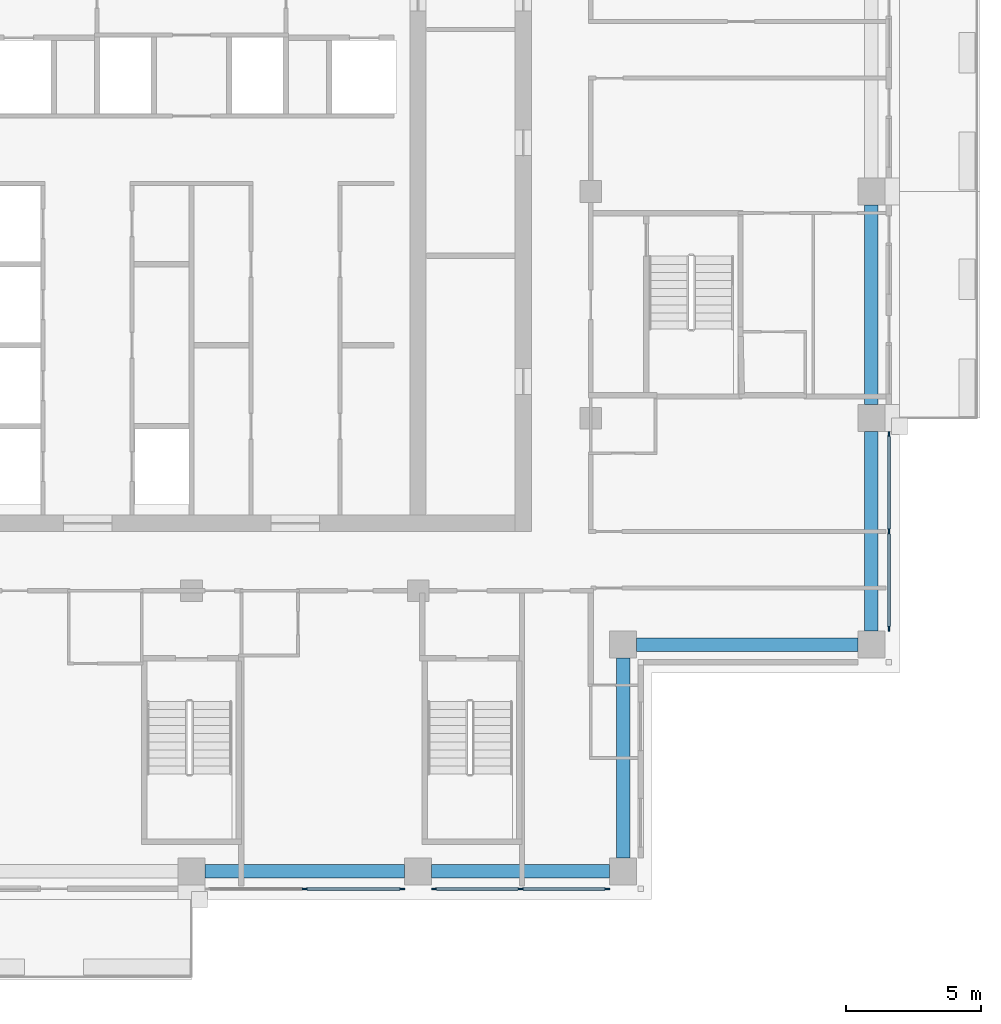
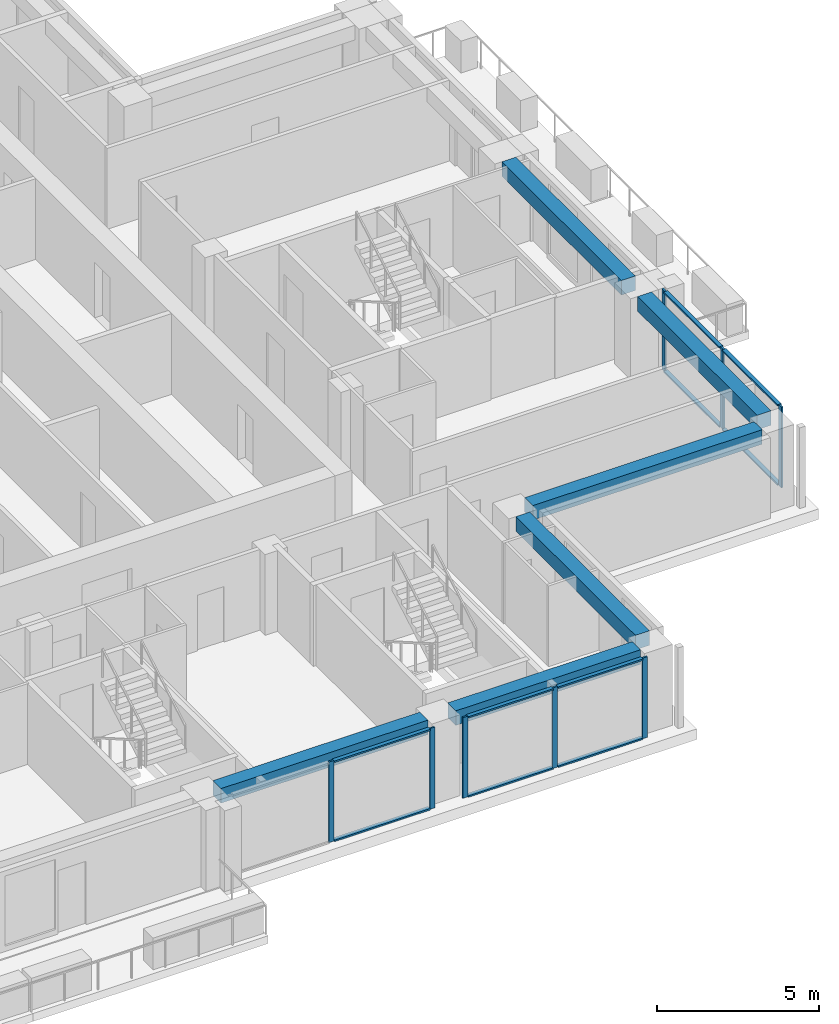
# One storey, part 4 of 17: 18 members, 6 beams, 3 elements without a shape of their own.
"""IFC4 building model written with IfcOpenShell, lengths in metres."""

from ifc_helpers import new_model, si_unit, direction, frame, origin, origin_2d, place, context, subcontext, project, spatial, rectangle, extrude, material, material_profile, profile_set, type_object, element, aggregate, save


model = new_model("IFC4")

# Units and contexts
model_context = context("Model", 3, precision=1e-05, world=origin(), true_north=direction((0.0, 1.0)))
body_context = subcontext(model_context, "Body", "Model", "MODEL_VIEW")
ifc_project = project(units=[si_unit("LENGTHUNIT", "METRE"), si_unit("AREAUNIT", "SQUARE_METRE"), si_unit("VOLUMEUNIT", "CUBIC_METRE"), si_unit("PLANEANGLEUNIT", "RADIAN"), si_unit("MASSUNIT", "GRAM", prefix="KILO")], contexts=[model_context])

# Site, building, storey
site_placement = place(None, origin())
site = spatial("IfcSite", under=ifc_project, at=site_placement, CompositionType="ELEMENT")
building_placement = place(site_placement, origin())
building = spatial("IfcBuilding", under=site, at=building_placement, Name="Vermilion Ogive Tower", CompositionType="ELEMENT")
storey_placement = place(building_placement, frame((0.0, 0.0, 196.25)))
storey = spatial("IfcBuildingStorey", under=building, at=storey_placement, Name="L51", CompositionType="ELEMENT", Elevation=196.25)

# Curtain wall, members
ifc_material_1 = material(Name="Low-iron laminated glazing in aluminium frame", Category="aluminium")
curtain_wall_type = type_object("IfcCurtainWallType", Name="Curtain wall CW7", PredefinedType="NOTDEFINED", material=ifc_material_1)
curtain_wall_1_placement = place(storey_placement, origin())
curtain_wall_1 = element("IfcCurtainWall", 1, at=curtain_wall_1_placement, inside=storey, type_object=curtain_wall_type, Name="Glazed skin S3", PredefinedType="NOTDEFINED")
ifc_material_2 = material(Name="Aluminium mullion", Category="aluminium")
ifc_material_profile_1 = material_profile(ifc_material_2, rectangle(XDim=0.06005859375, YDim=0.179931640625, at=origin_2d()), Name="AL 60x180")
ifc_profile_set_1 = profile_set([ifc_material_profile_1], Name="Aluminium mullion")
member_type_1 = type_object("IfcMemberType", Name="CW7 mullion 60x180", PredefinedType="MULLION", material=ifc_profile_set_1)
member_1_placement = place(storey_placement, frame((4.199951171875, -21.64990234375, 0.0), z_axis=(0.0, 0.0, 1.0), x_axis=(0.0, 1.0, 0.0)))
member_1 = element("IfcMember", 2, at=member_1_placement, type_object=member_type_1, Name="CW7-S3 mullion 2", PredefinedType="MULLION", context=body_context, shape_type="SweptSolid", body=[
    extrude(rectangle(XDim=0.06005859375, YDim=0.179931640625, at=origin_2d()), origin(), (0.0, 0.0, 1.0), 3.050048828125),
])
member_2_placement = place(storey_placement, frame((7.81005859375, -21.64990234375, 0.0), z_axis=(0.0, 0.0, 1.0), x_axis=(0.0, 1.0, 0.0)))
member_2 = element("IfcMember", 3, at=member_2_placement, type_object=member_type_1, Name="CW7-S3 mullion 3", PredefinedType="MULLION", context=body_context, shape_type="SweptSolid", body=[
    extrude(rectangle(XDim=0.06005859375, YDim=0.179931640625, at=origin_2d()), origin(), (0.0, 0.0, 1.0), 3.050048828125),
])

curtain_wall_2_placement = place(storey_placement, origin())
curtain_wall_2 = element("IfcCurtainWall", 4, at=curtain_wall_2_placement, inside=storey, type_object=curtain_wall_type, Name="Glazed skin S4", PredefinedType="NOTDEFINED")
member_3_placement = place(storey_placement, frame((8.989990234375, -21.64990234375, 0.0), z_axis=(0.0, 0.0, 1.0), x_axis=(0.0, 1.0, 0.0)))
member_3 = element("IfcMember", 5, at=member_3_placement, type_object=member_type_1, Name="CW7-S4 mullion 1", PredefinedType="MULLION", context=body_context, shape_type="SweptSolid", body=[
    extrude(rectangle(XDim=0.06005859375, YDim=0.179931640625, at=origin_2d()), origin(), (0.0, 0.0, 1.0), 3.050048828125),
])
member_4_placement = place(storey_placement, frame((12.199951171875, -21.64990234375, 0.0), z_axis=(0.0, 0.0, 1.0), x_axis=(0.0, 1.0, 0.0)))
member_4 = element("IfcMember", 6, at=member_4_placement, type_object=member_type_1, Name="CW7-S4 mullion 2", PredefinedType="MULLION", context=body_context, shape_type="SweptSolid", body=[
    extrude(rectangle(XDim=0.06005859375, YDim=0.179931640625, at=origin_2d()), origin(), (0.0, 0.0, 1.0), 3.050048828125),
])
member_5_placement = place(storey_placement, frame((15.409912109375, -21.64990234375, 0.0), z_axis=(0.0, 0.0, 1.0), x_axis=(0.0, 1.0, 0.0)))
member_5 = element("IfcMember", 7, at=member_5_placement, type_object=member_type_1, Name="CW7-S4 mullion 3", PredefinedType="MULLION", context=body_context, shape_type="SweptSolid", body=[
    extrude(rectangle(XDim=0.06005859375, YDim=0.179931640625, at=origin_2d()), origin(), (0.0, 0.0, 1.0), 3.050048828125),
])

curtain_wall_3_placement = place(storey_placement, origin())
curtain_wall_3 = element("IfcCurtainWall", 8, at=curtain_wall_3_placement, inside=storey, type_object=curtain_wall_type, Name="Glazed skin E1", PredefinedType="NOTDEFINED")
member_6_placement = place(storey_placement, frame((25.85009765625, -12.010009765625, 0.0), z_axis=(0.0, 0.0, 1.0), x_axis=(-1.0, 0.0, 0.0)))
member_6 = element("IfcMember", 9, at=member_6_placement, type_object=member_type_1, Name="CW7-E1 mullion 1", PredefinedType="MULLION", context=body_context, shape_type="SweptSolid", body=[
    extrude(rectangle(XDim=0.06005859375, YDim=0.179931640625, at=origin_2d()), origin(), (0.0, 0.0, 1.0), 3.050048828125),
])
member_7_placement = place(storey_placement, frame((25.85009765625, -8.39990234375, 0.0), z_axis=(0.0, 0.0, 1.0), x_axis=(-1.0, 0.0, 0.0)))
member_7 = element("IfcMember", 10, at=member_7_placement, type_object=member_type_1, Name="CW7-E1 mullion 2", PredefinedType="MULLION", context=body_context, shape_type="SweptSolid", body=[
    extrude(rectangle(XDim=0.06005859375, YDim=0.179931640625, at=origin_2d()), origin(), (0.0, 0.0, 1.0), 3.050048828125),
])
member_8_placement = place(storey_placement, frame((25.85009765625, -4.7900390625, 0.0), z_axis=(0.0, 0.0, 1.0), x_axis=(-1.0, 0.0, 0.0)))
member_8 = element("IfcMember", 11, at=member_8_placement, type_object=member_type_1, Name="CW7-E1 mullion 3", PredefinedType="MULLION", context=body_context, shape_type="SweptSolid", body=[
    extrude(rectangle(XDim=0.06005859375, YDim=0.179931640625, at=origin_2d()), origin(), (0.0, 0.0, 1.0), 3.050048828125),
])

# Member
ifc_material_3 = material(Name="Aluminium transom", Category="aluminium")
ifc_material_profile_2 = material_profile(ifc_material_3, rectangle(XDim=0.139892578125, YDim=0.06005859375, at=origin_2d()), Name="AL 60x140")
ifc_profile_set_2 = profile_set([ifc_material_profile_2], Name="Aluminium transom")
member_type_2 = type_object("IfcMemberType", Name="CW7 transom 60x140", PredefinedType="USERDEFINED", material=ifc_profile_set_2)
member_9_placement = place(storey_placement, frame((4.2900390625, -21.64990234375, 0.030029296875), z_axis=(1.0, 0.0, 0.0), x_axis=(0.0, 1.0, 0.0)))
member_9 = element("IfcMember", 12, at=member_9_placement, type_object=member_type_2, Name="CW7-S3 transom 2.1", ObjectType="TRANSOM", PredefinedType="USERDEFINED", context=body_context, shape_type="SweptSolid", body=[
    extrude(rectangle(XDim=0.139892578125, YDim=0.06005859375, at=origin_2d()), origin(), (0.0, 0.0, 1.0), 3.429931640625),
])

member_10_placement = place(storey_placement, frame((4.2900390625, -21.64990234375, 3.02001953125), z_axis=(1.0, 0.0, 0.0), x_axis=(0.0, 1.0, 0.0)))
member_10 = element("IfcMember", 13, at=member_10_placement, type_object=member_type_2, Name="CW7-S3 transom 2.2", ObjectType="TRANSOM", PredefinedType="USERDEFINED", context=body_context, shape_type="SweptSolid", body=[
    extrude(rectangle(XDim=0.139892578125, YDim=0.06005859375, at=origin_2d()), origin(), (0.0, 0.0, 1.0), 3.429931640625),
])

aggregate(curtain_wall_1, [member_1, member_2, member_9, member_10])

member_11_placement = place(storey_placement, frame((9.080078125, -21.64990234375, 0.030029296875), z_axis=(1.0, 0.0, 0.0), x_axis=(0.0, 1.0, 0.0)))
member_11 = element("IfcMember", 14, at=member_11_placement, type_object=member_type_2, Name="CW7-S4 transom 1.1", ObjectType="TRANSOM", PredefinedType="USERDEFINED", context=body_context, shape_type="SweptSolid", body=[
    extrude(rectangle(XDim=0.139892578125, YDim=0.06005859375, at=origin_2d()), origin(), (0.0, 0.0, 1.0), 3.030029296875),
])

member_12_placement = place(storey_placement, frame((9.080078125, -21.64990234375, 3.02001953125), z_axis=(1.0, 0.0, 0.0), x_axis=(0.0, 1.0, 0.0)))
member_12 = element("IfcMember", 15, at=member_12_placement, type_object=member_type_2, Name="CW7-S4 transom 1.2", ObjectType="TRANSOM", PredefinedType="USERDEFINED", context=body_context, shape_type="SweptSolid", body=[
    extrude(rectangle(XDim=0.139892578125, YDim=0.06005859375, at=origin_2d()), origin(), (0.0, 0.0, 1.0), 3.030029296875),
])

member_13_placement = place(storey_placement, frame((12.2900390625, -21.64990234375, 0.030029296875), z_axis=(1.0, 0.0, 0.0), x_axis=(0.0, 1.0, 0.0)))
member_13 = element("IfcMember", 16, at=member_13_placement, type_object=member_type_2, Name="CW7-S4 transom 2.1", ObjectType="TRANSOM", PredefinedType="USERDEFINED", context=body_context, shape_type="SweptSolid", body=[
    extrude(rectangle(XDim=0.139892578125, YDim=0.06005859375, at=origin_2d()), origin(), (0.0, 0.0, 1.0), 3.030029296875),
])

member_14_placement = place(storey_placement, frame((12.2900390625, -21.64990234375, 3.02001953125), z_axis=(1.0, 0.0, 0.0), x_axis=(0.0, 1.0, 0.0)))
member_14 = element("IfcMember", 17, at=member_14_placement, type_object=member_type_2, Name="CW7-S4 transom 2.2", ObjectType="TRANSOM", PredefinedType="USERDEFINED", context=body_context, shape_type="SweptSolid", body=[
    extrude(rectangle(XDim=0.139892578125, YDim=0.06005859375, at=origin_2d()), origin(), (0.0, 0.0, 1.0), 3.030029296875),
])

aggregate(curtain_wall_2, [member_3, member_4, member_5, member_11, member_12, member_13, member_14])

member_15_placement = place(storey_placement, frame((25.85009765625, -11.919921875, 0.030029296875), z_axis=(0.0, 1.0, 0.0), x_axis=(-1.0, 0.0, 0.0)))
member_15 = element("IfcMember", 18, at=member_15_placement, type_object=member_type_2, Name="CW7-E1 transom 1.1", ObjectType="TRANSOM", PredefinedType="USERDEFINED", context=body_context, shape_type="SweptSolid", body=[
    extrude(rectangle(XDim=0.139892578125, YDim=0.06005859375, at=origin_2d()), origin(), (0.0, 0.0, 1.0), 3.429931640625),
])

member_16_placement = place(storey_placement, frame((25.85009765625, -11.919921875, 3.02001953125), z_axis=(0.0, 1.0, 0.0), x_axis=(-1.0, 0.0, 0.0)))
member_16 = element("IfcMember", 19, at=member_16_placement, type_object=member_type_2, Name="CW7-E1 transom 1.2", ObjectType="TRANSOM", PredefinedType="USERDEFINED", context=body_context, shape_type="SweptSolid", body=[
    extrude(rectangle(XDim=0.139892578125, YDim=0.06005859375, at=origin_2d()), origin(), (0.0, 0.0, 1.0), 3.429931640625),
])

member_17_placement = place(storey_placement, frame((25.85009765625, -8.31005859375, 0.030029296875), z_axis=(0.0, 1.0, 0.0), x_axis=(-1.0, 0.0, 0.0)))
member_17 = element("IfcMember", 20, at=member_17_placement, type_object=member_type_2, Name="CW7-E1 transom 2.1", ObjectType="TRANSOM", PredefinedType="USERDEFINED", context=body_context, shape_type="SweptSolid", body=[
    extrude(rectangle(XDim=0.139892578125, YDim=0.06005859375, at=origin_2d()), origin(), (0.0, 0.0, 1.0), 3.43017578125),
])

member_18_placement = place(storey_placement, frame((25.85009765625, -8.31005859375, 3.02001953125), z_axis=(0.0, 1.0, 0.0), x_axis=(-1.0, 0.0, 0.0)))
member_18 = element("IfcMember", 21, at=member_18_placement, type_object=member_type_2, Name="CW7-E1 transom 2.2", ObjectType="TRANSOM", PredefinedType="USERDEFINED", context=body_context, shape_type="SweptSolid", body=[
    extrude(rectangle(XDim=0.139892578125, YDim=0.06005859375, at=origin_2d()), origin(), (0.0, 0.0, 1.0), 3.43017578125),
])

aggregate(curtain_wall_3, [member_6, member_7, member_8, member_15, member_16, member_17, member_18])

# Beams
ifc_material_4 = material(Name="Concrete B45", Category="concrete")
ifc_material_profile_3 = material_profile(ifc_material_4, rectangle(XDim=0.5, YDim=0.550048828125, at=origin_2d()), Name="500 x 550")
ifc_profile_set_3 = profile_set([ifc_material_profile_3], Name="Concrete B45")
beam_type = type_object("IfcBeamType", Name="Edge beam 500 x 550 B45", PredefinedType="BEAM", material=ifc_profile_set_3)
beam_1_placement = place(storey_placement, frame((0.5, -21.0, 2.77490234375), z_axis=(1.0, 0.0, 0.0), x_axis=(0.0, 1.0, 0.0)))
element("IfcBeam", 22, at=beam_1_placement, inside=storey, type_object=beam_type, Name="L51-EB-3", PredefinedType="BEAM", context=body_context, shape_type="SweptSolid", body=[
    extrude(rectangle(XDim=0.5, YDim=0.550048828125, at=origin_2d()), origin(), (0.0, 0.0, 1.0), 7.39990234375),
])
beam_2_placement = place(storey_placement, frame((8.89990234375, -21.0, 2.77490234375), z_axis=(1.0, 0.0, 0.0), x_axis=(0.0, 1.0, 0.0)))
element("IfcBeam", 23, at=beam_2_placement, inside=storey, type_object=beam_type, Name="L51-EB-4", PredefinedType="BEAM", context=body_context, shape_type="SweptSolid", body=[
    extrude(rectangle(XDim=0.5, YDim=0.550048828125, at=origin_2d()), origin(), (0.0, 0.0, 1.0), 6.60009765625),
])
beam_3_placement = place(storey_placement, frame((16.0, -20.5, 2.77490234375), z_axis=(0.0, 1.0, 0.0), x_axis=(-1.0, 0.0, 0.0)))
element("IfcBeam", 24, at=beam_3_placement, inside=storey, type_object=beam_type, Name="L51-EB-5", PredefinedType="BEAM", context=body_context, shape_type="SweptSolid", body=[
    extrude(rectangle(XDim=0.5, YDim=0.550048828125, at=origin_2d()), origin(), (0.0, 0.0, 1.0), 7.39990234375),
])
beam_4_placement = place(storey_placement, frame((16.5, -12.60009765625, 2.77490234375), z_axis=(1.0, 0.0, 0.0), x_axis=(0.0, 1.0, 0.0)))
element("IfcBeam", 25, at=beam_4_placement, inside=storey, type_object=beam_type, Name="L51-EB-6", PredefinedType="BEAM", context=body_context, shape_type="SweptSolid", body=[
    extrude(rectangle(XDim=0.5, YDim=0.550048828125, at=origin_2d()), origin(), (0.0, 0.0, 1.0), 8.199951171875),
])
beam_5_placement = place(storey_placement, frame((25.199951171875, -12.10009765625, 2.77490234375), z_axis=(0.0, 1.0, 0.0), x_axis=(-1.0, 0.0, 0.0)))
element("IfcBeam", 26, at=beam_5_placement, inside=storey, type_object=beam_type, Name="L51-EB-7", PredefinedType="BEAM", context=body_context, shape_type="SweptSolid", body=[
    extrude(rectangle(XDim=0.5, YDim=0.550048828125, at=origin_2d()), origin(), (0.0, 0.0, 1.0), 7.400146484375),
])
beam_6_placement = place(storey_placement, frame((25.199951171875, -3.699951171875, 2.77490234375), z_axis=(0.0, 1.0, 0.0), x_axis=(-1.0, 0.0, 0.0)))
element("IfcBeam", 27, at=beam_6_placement, inside=storey, type_object=beam_type, Name="L51-EB-8", PredefinedType="BEAM", context=body_context, shape_type="SweptSolid", body=[
    extrude(rectangle(XDim=0.5, YDim=0.550048828125, at=origin_2d()), origin(), (0.0, 0.0, 1.0), 7.39990234375),
])

save(model, "model.ifc")
